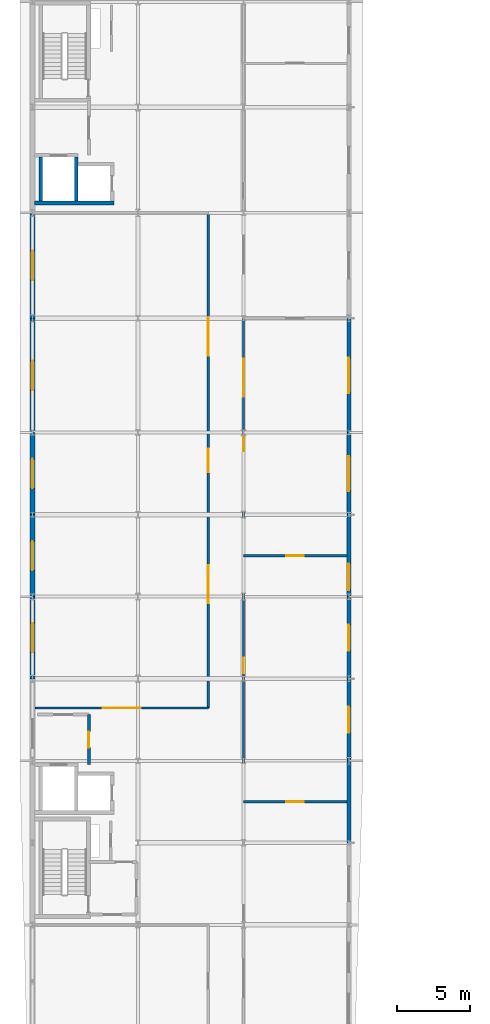
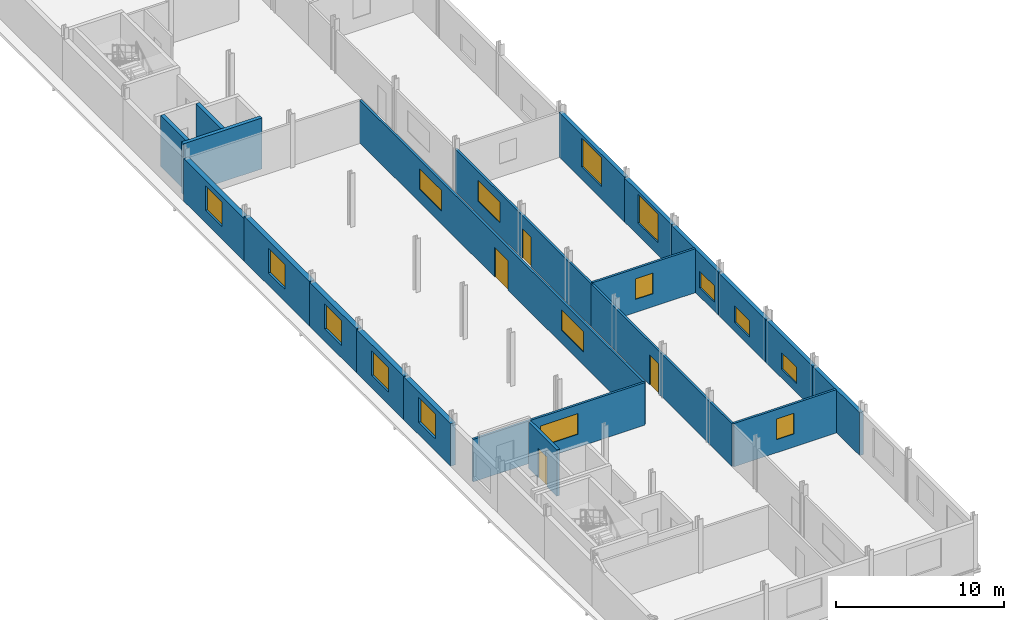
# One storey, part 20 of 30: 21 walls, 16 windows, 4 doors, 20 openings.
"""IFC4 building model written with IfcOpenShell, lengths in metres."""

from ifc_helpers import new_model, si_unit, direction, frame, frame_2d, origin, place, context, subcontext, project, spatial, rectangle, extrude, material, layer, layer_set, type_object, element, fill, save


model = new_model("IFC4")

# Units and contexts
model_context = context("Model", 3, precision=1e-05, world=origin(), true_north=direction((0.0, 1.0)))
body_context = subcontext(model_context, "Body", "Model", "MODEL_VIEW")
ifc_project = project(units=[si_unit("LENGTHUNIT", "METRE"), si_unit("AREAUNIT", "SQUARE_METRE"), si_unit("VOLUMEUNIT", "CUBIC_METRE"), si_unit("PLANEANGLEUNIT", "RADIAN"), si_unit("MASSUNIT", "GRAM", prefix="KILO")], contexts=[model_context])

# Site, building, storey
site_placement = place(None, origin())
site = spatial("IfcSite", under=ifc_project, at=site_placement, CompositionType="ELEMENT")
building_placement = place(site_placement, origin())
building = spatial("IfcBuilding", under=site, at=building_placement, Name="Vinh Khe Railworks Police Headquarters", CompositionType="ELEMENT")
storey_placement = place(building_placement, frame((0.0, 0.0, 21.0)))
storey = spatial("IfcBuildingStorey", under=building, at=storey_placement, Name="L05", CompositionType="ELEMENT", Elevation=21.0)

# Walls
ifc_material_1 = material(Name="Concrete C40/50 (B40)", Category="concrete")
ifc_layer_1 = layer(ifc_material_1, 0.25)
ifc_layer_set_1 = layer_set([ifc_layer_1], Name="Concrete C40/50 (B40)")
wall_type_1 = type_object("IfcWallType", Name="Core Shear Wall 250", PredefinedType="SHEAR", material=ifc_layer_set_1)
wall_1_placement = place(storey_placement, frame((0.75, 74.47509765625, 0.0), z_axis=(0.0, 0.0, 1.0), x_axis=(1.0, 0.0, 0.0)))
element("IfcWall", 1, at=wall_1_placement, inside=storey, type_object=wall_type_1, Name="Core C2 FL-S Lift Shaft Wall (L05)", PredefinedType="SHEAR", context=body_context, shape_type="SweptSolid", body=[
    extrude(rectangle(XDim=5.39990234375, YDim=0.25, at=frame_2d((2.699951171875, 0.0))), origin(), (0.0, 0.0, 1.0), 3.699951171875),
])
for number, where, z_axis, x_axis, name in (
    (2, (1.175048828125, 74.60009765625, 0.0), (0.0, 0.0, 1.0), (0.0, 1.0, 0.0), "Core C2 FL-W Lift Shaft Wall (L05)"),
    (3, (3.60009765625, 74.60009765625, 0.0), (0.0, 0.0, 1.0), (0.0, 1.0, 0.0), "Core C2 LIFT-DIV Lift Shaft Wall (L05)"),
):
    element("IfcWall", number, at=place(storey_placement, frame(where, z_axis=z_axis, x_axis=x_axis)), inside=storey, type_object=wall_type_1, Name=name, PredefinedType="SHEAR", context=body_context, shape_type="SweptSolid", body=[
        extrude(rectangle(XDim=3.0, YDim=0.25, at=frame_2d((1.5, 0.0))), origin(), (0.0, 0.0, 1.0), 3.699951171875),
    ])
ifc_material_2 = material(Name="Clay brickwork", Category="masonry")
ifc_layer_2 = layer(ifc_material_2, 0.260009765625)
ifc_layer_set_2 = layer_set([ifc_layer_2], Name="Clay brickwork")
wall_type_2 = type_object("IfcWallType", Name="EW-BRK-260", PredefinedType="SOLIDWALL", material=ifc_layer_set_2)
wall_2_placement = place(storey_placement, frame((22.199951171875, 30.800048828125, 0.0), z_axis=(0.0, 0.0, 1.0), x_axis=(0.0, 1.0, 0.0)))
element("IfcWall", 4, at=wall_2_placement, inside=storey, type_object=wall_type_2, Name="Exterior Brick Wall EW-L05-V5E-03", PredefinedType="SOLIDWALL", context=body_context, shape_type="SweptSolid", body=[
    extrude(rectangle(XDim=5.599853515625, YDim=0.260009765625, at=frame_2d((2.7998046875, 0.0))), origin(), (0.0, 0.0, 1.0), 3.094970703125),
])

# Wall, opening, window
wall_3_placement = place(storey_placement, frame((22.199951171875, 36.39990234375, 0.0), z_axis=(0.0, 0.0, 1.0), x_axis=(0.0, 1.0, 0.0)))
wall_3 = element("IfcWall", 5, at=wall_3_placement, inside=storey, type_object=wall_type_2, Name="Exterior Brick Wall EW-L05-V5E-04", PredefinedType="SOLIDWALL", context=body_context, shape_type="SweptSolid", body=[
    extrude(rectangle(XDim=5.60009765625, YDim=0.260009765625, at=frame_2d((2.800048828125, 0.0))), origin(), (0.0, 0.0, 1.0), 3.094970703125),
])
opening_1_placement = place(wall_3_placement, frame((1.89990234375, 0.0, 0.64990234375)))
opening_1 = element("IfcOpeningElement", 6, at=opening_1_placement, cuts=wall_3, Name="Opening WN-08", PredefinedType="OPENING", context=body_context, shape_type="SweptSolid", body=[
    extrude(rectangle(XDim=1.800048828125, YDim=1.199951171875, at=frame_2d((0.89990234375, 0.60009765625))), frame((0.0, 0.14501953125, 0.0), z_axis=(0.0, -1.0, 0.0), x_axis=(1.0, 0.0, 0.0)), (0.0, 0.0, 1.0), 0.289794921875),
])
ifc_material_3 = material(Name="Double-glazed solar-control glass in dark steel frame", Category="steel")
window_type_1 = type_object("IfcWindowType", Name="WIN-WN-08", PartitioningType="SINGLE_PANEL", PredefinedType="WINDOW", material=ifc_material_3)
window_1_placement = place(opening_1_placement, origin())
window_1 = element("IfcWindow", 7, at=window_1_placement, inside=storey, type_object=window_type_1, Name="Casement Window WN-08", OverallHeight=1.199951171875, OverallWidth=1.800048828125, PartitioningType="SINGLE_PANEL", PredefinedType="WINDOW", context=body_context, shape_type="SweptSolid", body=[
    extrude(rectangle(XDim=1.800048828125, YDim=1.199951171875, at=frame_2d((0.89990234375, 0.60009765625))), frame((0.0, 0.030029296875, 0.0), z_axis=(0.0, -1.0, 0.0), x_axis=(1.0, 0.0, 0.0)), (0.0, 0.0, 1.0), 0.06005859375),
])
fill(opening_1, window_1)

wall_4_placement = place(storey_placement, frame((22.199951171875, 42.0, 0.0), z_axis=(0.0, 0.0, 1.0), x_axis=(0.0, 1.0, 0.0)))
wall_4 = element("IfcWall", 8, at=wall_4_placement, inside=storey, type_object=wall_type_2, Name="Exterior Brick Wall EW-L05-V5E-05", PredefinedType="SOLIDWALL", context=body_context, shape_type="SweptSolid", body=[
    extrude(rectangle(XDim=5.60009765625, YDim=0.260009765625, at=frame_2d((2.800048828125, 0.0))), origin(), (0.0, 0.0, 1.0), 3.094970703125),
])
opening_2_placement = place(wall_4_placement, frame((1.89990234375, 0.0, 0.64990234375)))
opening_2 = element("IfcOpeningElement", 9, at=opening_2_placement, cuts=wall_4, Name="Opening WN-08", PredefinedType="OPENING", context=body_context, shape_type="SweptSolid", body=[
    extrude(rectangle(XDim=1.800048828125, YDim=1.199951171875, at=frame_2d((0.89990234375, 0.60009765625))), frame((0.0, 0.14501953125, 0.0), z_axis=(0.0, -1.0, 0.0), x_axis=(1.0, 0.0, 0.0)), (0.0, 0.0, 1.0), 0.289794921875),
])
window_2_placement = place(opening_2_placement, origin())
window_2 = element("IfcWindow", 10, at=window_2_placement, inside=storey, type_object=window_type_1, Name="Casement Window WN-08", OverallHeight=1.199951171875, OverallWidth=1.800048828125, PartitioningType="SINGLE_PANEL", PredefinedType="WINDOW", context=body_context, shape_type="SweptSolid", body=[
    extrude(rectangle(XDim=1.800048828125, YDim=1.199951171875, at=frame_2d((0.89990234375, 0.60009765625))), frame((0.0, 0.030029296875, 0.0), z_axis=(0.0, -1.0, 0.0), x_axis=(1.0, 0.0, 0.0)), (0.0, 0.0, 1.0), 0.06005859375),
])
fill(opening_2, window_2)

wall_5_placement = place(storey_placement, frame((22.199951171875, 47.60009765625, 0.0), z_axis=(0.0, 0.0, 1.0), x_axis=(0.0, 1.0, 0.0)))
wall_5 = element("IfcWall", 11, at=wall_5_placement, inside=storey, type_object=wall_type_2, Name="Exterior Brick Wall EW-L05-V5E-06", PredefinedType="SOLIDWALL", context=body_context, shape_type="SweptSolid", body=[
    extrude(rectangle(XDim=5.599853515625, YDim=0.260009765625, at=frame_2d((2.7998046875, 0.0))), origin(), (0.0, 0.0, 1.0), 3.14501953125),
])
opening_3_placement = place(wall_5_placement, frame((0.449951171875, 0.0, 0.64990234375)))
opening_3 = element("IfcOpeningElement", 12, at=opening_3_placement, cuts=wall_5, Name="Opening WN-08", PredefinedType="OPENING", context=body_context, shape_type="SweptSolid", body=[
    extrude(rectangle(XDim=1.800048828125, YDim=1.199951171875, at=frame_2d((0.89990234375, 0.60009765625))), frame((0.0, 0.14501953125, 0.0), z_axis=(0.0, -1.0, 0.0), x_axis=(1.0, 0.0, 0.0)), (0.0, 0.0, 1.0), 0.289794921875),
])
window_3_placement = place(opening_3_placement, origin())
window_3 = element("IfcWindow", 13, at=window_3_placement, inside=storey, type_object=window_type_1, Name="Casement Window WN-08", OverallHeight=1.199951171875, OverallWidth=1.800048828125, PartitioningType="SINGLE_PANEL", PredefinedType="WINDOW", context=body_context, shape_type="SweptSolid", body=[
    extrude(rectangle(XDim=1.800048828125, YDim=1.199951171875, at=frame_2d((0.89990234375, 0.60009765625))), frame((0.0, 0.030029296875, 0.0), z_axis=(0.0, -1.0, 0.0), x_axis=(1.0, 0.0, 0.0)), (0.0, 0.0, 1.0), 0.06005859375),
])
fill(opening_3, window_3)

wall_6_placement = place(storey_placement, frame((22.199951171875, 53.199951171875, 0.0), z_axis=(0.0, 0.0, 1.0), x_axis=(0.0, 1.0, 0.0)))
wall_6 = element("IfcWall", 14, at=wall_6_placement, inside=storey, type_object=wall_type_2, Name="Exterior Brick Wall EW-L05-V5E-07", PredefinedType="SOLIDWALL", context=body_context, shape_type="SweptSolid", body=[
    extrude(rectangle(XDim=5.60009765625, YDim=0.260009765625, at=frame_2d((2.800048828125, 0.0))), origin(), (0.0, 0.0, 1.0), 3.195068359375),
])
opening_4_placement = place(wall_6_placement, frame((1.60009765625, 0.0, 0.89990234375)))
opening_4 = element("IfcOpeningElement", 15, at=opening_4_placement, cuts=wall_6, Name="Opening WN-02", PredefinedType="OPENING", context=body_context, shape_type="SweptSolid", body=[
    extrude(rectangle(XDim=2.39990234375, YDim=2.10009765625, at=frame_2d((1.199951171875, 1.050048828125))), frame((0.0, 0.14501953125, 0.0), z_axis=(0.0, -1.0, 0.0), x_axis=(1.0, 0.0, 0.0)), (0.0, 0.0, 1.0), 0.289794921875),
])
window_type_2 = type_object("IfcWindowType", Name="WIN-WN-02", PartitioningType="DOUBLE_PANEL_VERTICAL", PredefinedType="WINDOW", material=ifc_material_3)
window_4_placement = place(opening_4_placement, origin())
window_4 = element("IfcWindow", 16, at=window_4_placement, inside=storey, type_object=window_type_2, Name="Casement Window WN-02", OverallHeight=2.10009765625, OverallWidth=2.39990234375, PartitioningType="SINGLE_PANEL", PredefinedType="WINDOW", context=body_context, shape_type="SweptSolid", body=[
    extrude(rectangle(XDim=2.39990234375, YDim=2.10009765625, at=frame_2d((1.199951171875, 1.050048828125))), frame((0.0, 0.030029296875, 0.0), z_axis=(0.0, -1.0, 0.0), x_axis=(1.0, 0.0, 0.0)), (0.0, 0.0, 1.0), 0.06005859375),
])
fill(opening_4, window_4)

wall_7_placement = place(storey_placement, frame((22.199951171875, 58.800048828125, 0.0), z_axis=(0.0, 0.0, 1.0), x_axis=(0.0, 1.0, 0.0)))
wall_7 = element("IfcWall", 17, at=wall_7_placement, inside=storey, type_object=wall_type_2, Name="Exterior Brick Wall EW-L05-V5E-08", PredefinedType="SOLIDWALL", context=body_context, shape_type="SweptSolid", body=[
    extrude(rectangle(XDim=7.800048828125, YDim=0.260009765625, at=frame_2d((3.89990234375, 0.0))), origin(), (0.0, 0.0, 1.0), 3.2451171875),
])
opening_5_placement = place(wall_7_placement, frame((2.699951171875, 0.0, 0.89990234375)))
opening_5 = element("IfcOpeningElement", 18, at=opening_5_placement, cuts=wall_7, Name="Opening WN-02", PredefinedType="OPENING", context=body_context, shape_type="SweptSolid", body=[
    extrude(rectangle(XDim=2.39990234375, YDim=2.10009765625, at=frame_2d((1.199951171875, 1.050048828125))), frame((0.0, 0.14501953125, 0.0), z_axis=(0.0, -1.0, 0.0), x_axis=(1.0, 0.0, 0.0)), (0.0, 0.0, 1.0), 0.289794921875),
])
window_5_placement = place(opening_5_placement, origin())
window_5 = element("IfcWindow", 19, at=window_5_placement, inside=storey, type_object=window_type_2, Name="Casement Window WN-02", OverallHeight=2.10009765625, OverallWidth=2.39990234375, PartitioningType="SINGLE_PANEL", PredefinedType="WINDOW", context=body_context, shape_type="SweptSolid", body=[
    extrude(rectangle(XDim=2.39990234375, YDim=2.10009765625, at=frame_2d((1.199951171875, 1.050048828125))), frame((0.0, 0.030029296875, 0.0), z_axis=(0.0, -1.0, 0.0), x_axis=(1.0, 0.0, 0.0)), (0.0, 0.0, 1.0), 0.06005859375),
])
fill(opening_5, window_5)

ifc_layer_3 = layer(ifc_material_2, 0.340087890625)
ifc_layer_set_3 = layer_set([ifc_layer_3], Name="Clay brickwork")
wall_type_3 = type_object("IfcWallType", Name="EW-BRK-340", PredefinedType="SOLIDWALL", material=ifc_layer_set_3)
wall_8_placement = place(storey_placement, frame((0.60009765625, 42.0, 0.0), z_axis=(0.0, 0.0, 1.0), x_axis=(0.0, 1.0, 0.0)))
wall_8 = element("IfcWall", 20, at=wall_8_placement, inside=storey, type_object=wall_type_3, Name="Exterior Brick Wall EW-L05-V5W-05", PredefinedType="SOLIDWALL", context=body_context, shape_type="SweptSolid", body=[
    extrude(rectangle(XDim=5.60009765625, YDim=0.340087890625, at=frame_2d((2.800048828125, 0.0))), origin(), (0.0, 0.0, 1.0), 3.094970703125),
])
opening_6_placement = place(wall_8_placement, frame((1.800048828125, 0.0, 0.89990234375)))
opening_6 = element("IfcOpeningElement", 21, at=opening_6_placement, cuts=wall_8, Name="Opening WN-04", PredefinedType="OPENING", context=body_context, shape_type="SweptSolid", body=[
    extrude(rectangle(XDim=2.0, YDim=1.800048828125, at=frame_2d((1.0, 0.89990234375))), frame((0.0, 0.18505859375, 0.0), z_axis=(0.0, -1.0, 0.0), x_axis=(1.0, 0.0, 0.0)), (0.0, 0.0, 1.0), 0.369873046875),
])
window_type_3 = type_object("IfcWindowType", Name="WIN-WN-04", PartitioningType="DOUBLE_PANEL_VERTICAL", PredefinedType="WINDOW", material=ifc_material_3)
window_6_placement = place(opening_6_placement, origin())
window_6 = element("IfcWindow", 22, at=window_6_placement, inside=storey, type_object=window_type_3, Name="Casement Window WN-04", OverallHeight=1.800048828125, OverallWidth=2.0, PartitioningType="SINGLE_PANEL", PredefinedType="WINDOW", context=body_context, shape_type="SweptSolid", body=[
    extrude(rectangle(XDim=2.0, YDim=1.800048828125, at=frame_2d((1.0, 0.89990234375))), frame((0.0, 0.030029296875, 0.0), z_axis=(0.0, -1.0, 0.0), x_axis=(1.0, 0.0, 0.0)), (0.0, 0.0, 1.0), 0.06005859375),
])
fill(opening_6, window_6)

wall_9_placement = place(storey_placement, frame((0.60009765625, 47.60009765625, 0.0), z_axis=(0.0, 0.0, 1.0), x_axis=(0.0, 1.0, 0.0)))
wall_9 = element("IfcWall", 23, at=wall_9_placement, inside=storey, type_object=wall_type_3, Name="Exterior Brick Wall EW-L05-V5W-06", PredefinedType="SOLIDWALL", context=body_context, shape_type="SweptSolid", body=[
    extrude(rectangle(XDim=5.599853515625, YDim=0.340087890625, at=frame_2d((2.7998046875, 0.0))), origin(), (0.0, 0.0, 1.0), 3.14501953125),
])
opening_7_placement = place(wall_9_placement, frame((1.800048828125, 0.0, 0.89990234375)))
opening_7 = element("IfcOpeningElement", 24, at=opening_7_placement, cuts=wall_9, Name="Opening WN-04", PredefinedType="OPENING", context=body_context, shape_type="SweptSolid", body=[
    extrude(rectangle(XDim=2.0, YDim=1.800048828125, at=frame_2d((1.0, 0.89990234375))), frame((0.0, 0.18505859375, 0.0), z_axis=(0.0, -1.0, 0.0), x_axis=(1.0, 0.0, 0.0)), (0.0, 0.0, 1.0), 0.369873046875),
])
window_7_placement = place(opening_7_placement, origin())
window_7 = element("IfcWindow", 25, at=window_7_placement, inside=storey, type_object=window_type_3, Name="Casement Window WN-04", OverallHeight=1.800048828125, OverallWidth=2.0, PartitioningType="SINGLE_PANEL", PredefinedType="WINDOW", context=body_context, shape_type="SweptSolid", body=[
    extrude(rectangle(XDim=2.0, YDim=1.800048828125, at=frame_2d((1.0, 0.89990234375))), frame((0.0, 0.030029296875, 0.0), z_axis=(0.0, -1.0, 0.0), x_axis=(1.0, 0.0, 0.0)), (0.0, 0.0, 1.0), 0.06005859375),
])
fill(opening_7, window_7)

wall_10_placement = place(storey_placement, frame((0.60009765625, 53.199951171875, 0.0), z_axis=(0.0, 0.0, 1.0), x_axis=(0.0, 1.0, 0.0)))
wall_10 = element("IfcWall", 26, at=wall_10_placement, inside=storey, type_object=wall_type_3, Name="Exterior Brick Wall EW-L05-V5W-07", PredefinedType="SOLIDWALL", context=body_context, shape_type="SweptSolid", body=[
    extrude(rectangle(XDim=5.60009765625, YDim=0.340087890625, at=frame_2d((2.800048828125, 0.0))), origin(), (0.0, 0.0, 1.0), 3.195068359375),
])
opening_8_placement = place(wall_10_placement, frame((1.800048828125, 0.0, 0.89990234375)))
opening_8 = element("IfcOpeningElement", 27, at=opening_8_placement, cuts=wall_10, Name="Opening WN-04", PredefinedType="OPENING", context=body_context, shape_type="SweptSolid", body=[
    extrude(rectangle(XDim=2.0, YDim=1.800048828125, at=frame_2d((1.0, 0.89990234375))), frame((0.0, 0.18505859375, 0.0), z_axis=(0.0, -1.0, 0.0), x_axis=(1.0, 0.0, 0.0)), (0.0, 0.0, 1.0), 0.369873046875),
])
window_8_placement = place(opening_8_placement, origin())
window_8 = element("IfcWindow", 28, at=window_8_placement, inside=storey, type_object=window_type_3, Name="Casement Window WN-04", OverallHeight=1.800048828125, OverallWidth=2.0, PartitioningType="SINGLE_PANEL", PredefinedType="WINDOW", context=body_context, shape_type="SweptSolid", body=[
    extrude(rectangle(XDim=2.0, YDim=1.800048828125, at=frame_2d((1.0, 0.89990234375))), frame((0.0, 0.030029296875, 0.0), z_axis=(0.0, -1.0, 0.0), x_axis=(1.0, 0.0, 0.0)), (0.0, 0.0, 1.0), 0.06005859375),
])
fill(opening_8, window_8)

wall_11_placement = place(storey_placement, frame((0.60009765625, 58.800048828125, 0.0), z_axis=(0.0, 0.0, 1.0), x_axis=(0.0, 1.0, 0.0)))
wall_11 = element("IfcWall", 29, at=wall_11_placement, inside=storey, type_object=wall_type_3, Name="Exterior Brick Wall EW-L05-V5W-08", PredefinedType="SOLIDWALL", context=body_context, shape_type="SweptSolid", body=[
    extrude(rectangle(XDim=7.800048828125, YDim=0.340087890625, at=frame_2d((3.89990234375, 0.0))), origin(), (0.0, 0.0, 1.0), 3.2451171875),
])
opening_9_placement = place(wall_11_placement, frame((2.89990234375, 0.0, 0.89990234375)))
opening_9 = element("IfcOpeningElement", 30, at=opening_9_placement, cuts=wall_11, Name="Opening WN-04", PredefinedType="OPENING", context=body_context, shape_type="SweptSolid", body=[
    extrude(rectangle(XDim=2.0, YDim=1.800048828125, at=frame_2d((1.0, 0.89990234375))), frame((0.0, 0.18505859375, 0.0), z_axis=(0.0, -1.0, 0.0), x_axis=(1.0, 0.0, 0.0)), (0.0, 0.0, 1.0), 0.369873046875),
])
window_9_placement = place(opening_9_placement, origin())
window_9 = element("IfcWindow", 31, at=window_9_placement, inside=storey, type_object=window_type_3, Name="Casement Window WN-04", OverallHeight=1.800048828125, OverallWidth=2.0, PartitioningType="SINGLE_PANEL", PredefinedType="WINDOW", context=body_context, shape_type="SweptSolid", body=[
    extrude(rectangle(XDim=2.0, YDim=1.800048828125, at=frame_2d((1.0, 0.89990234375))), frame((0.0, 0.030029296875, 0.0), z_axis=(0.0, -1.0, 0.0), x_axis=(1.0, 0.0, 0.0)), (0.0, 0.0, 1.0), 0.06005859375),
])
fill(opening_9, window_9)

wall_12_placement = place(storey_placement, frame((0.60009765625, 66.60009765625, 0.0), z_axis=(0.0, 0.0, 1.0), x_axis=(0.0, 1.0, 0.0)))
wall_12 = element("IfcWall", 32, at=wall_12_placement, inside=storey, type_object=wall_type_3, Name="Exterior Brick Wall EW-L05-V5W-09", PredefinedType="SOLIDWALL", context=body_context, shape_type="SweptSolid", body=[
    extrude(rectangle(XDim=7.199951171875, YDim=0.340087890625, at=frame_2d((3.60009765625, 0.0))), origin(), (0.0, 0.0, 1.0), 3.094970703125),
])
opening_10_placement = place(wall_12_placement, frame((2.60009765625, 0.0, 0.89990234375)))
opening_10 = element("IfcOpeningElement", 33, at=opening_10_placement, cuts=wall_12, Name="Opening WN-04", PredefinedType="OPENING", context=body_context, shape_type="SweptSolid", body=[
    extrude(rectangle(XDim=2.0, YDim=1.800048828125, at=frame_2d((1.0, 0.89990234375))), frame((0.0, 0.18505859375, 0.0), z_axis=(0.0, -1.0, 0.0), x_axis=(1.0, 0.0, 0.0)), (0.0, 0.0, 1.0), 0.369873046875),
])
window_10_placement = place(opening_10_placement, origin())
window_10 = element("IfcWindow", 34, at=window_10_placement, inside=storey, type_object=window_type_3, Name="Casement Window WN-04", OverallHeight=1.800048828125, OverallWidth=2.0, PartitioningType="SINGLE_PANEL", PredefinedType="WINDOW", context=body_context, shape_type="SweptSolid", body=[
    extrude(rectangle(XDim=2.0, YDim=1.800048828125, at=frame_2d((1.0, 0.89990234375))), frame((0.0, 0.030029296875, 0.0), z_axis=(0.0, -1.0, 0.0), x_axis=(1.0, 0.0, 0.0)), (0.0, 0.0, 1.0), 0.06005859375),
])
fill(opening_10, window_10)

# Wall, opening, door
ifc_material_4 = material(Name="Autoclaved aerated concrete blockwork", Category="masonry")
ifc_layer_4 = layer(ifc_material_4, 0.199951171875)
ifc_layer_set_4 = layer_set([ifc_layer_4], Name="Autoclaved aerated concrete blockwork")
wall_type_4 = type_object("IfcWallType", Name="IW-BLK-200", PredefinedType="PARTITIONING", material=ifc_layer_set_4)
wall_13_placement = place(storey_placement, frame((4.449951171875, 36.14990234375, 0.0), z_axis=(0.0, 0.0, 1.0), x_axis=(0.0, 1.0, 0.0)))
wall_13 = element("IfcWall", 35, at=wall_13_placement, inside=storey, type_object=wall_type_4, Name="Interior Partition W-FFL-C1-E-L05", PredefinedType="PARTITIONING", context=body_context, shape_type="SweptSolid", body=[
    extrude(rectangle(XDim=3.400146484375, YDim=0.199951171875, at=frame_2d((1.7001953125, 0.0))), origin(), (0.0, 0.0, 1.0), 3.364990234375),
])
opening_11_placement = place(wall_13_placement, frame((1.14990234375, 0.0, 0.0)))
opening_11 = element("IfcOpeningElement", 36, at=opening_11_placement, cuts=wall_13, Name="Opening FD-01", PredefinedType="OPENING", context=body_context, shape_type="SweptSolid", body=[
    extrude(rectangle(XDim=1.10009765625, YDim=2.14990234375, at=frame_2d((0.550048828125, 1.074951171875))), frame((0.0, 0.11474609375, 0.0), z_axis=(0.0, -1.0, 0.0), x_axis=(1.0, 0.0, 0.0)), (0.0, 0.0, 1.0), 0.229736328125),
])
ifc_material_5 = material(Name="Painted galvanised steel", Category="steel")
door_type_1 = type_object("IfcDoorType", Name="FD-1100x2150", OperationType="NOTDEFINED", PredefinedType="DOOR", material=ifc_material_5)
door_1_placement = place(opening_11_placement, origin())
door_1 = element("IfcDoor", 37, at=door_1_placement, inside=storey, type_object=door_type_1, Name="Firefighting Lobby Exit Door", OperationType="SINGLE_SWING_RIGHT", OverallHeight=2.14990234375, OverallWidth=1.10009765625, PredefinedType="DOOR", context=body_context, shape_type="SweptSolid", body=[
    extrude(rectangle(XDim=1.10009765625, YDim=2.14990234375, at=frame_2d((0.550048828125, 1.074951171875))), frame((0.0, 0.02490234375, 0.0), z_axis=(0.0, -1.0, 0.0), x_axis=(1.0, 0.0, 0.0)), (0.0, 0.0, 1.0), 0.050048828125),
])
fill(opening_11, door_1)

# Wall, opening, window
ifc_material_6 = material(Name="Gypsum plasterboard on steel stud", Category="steel")
ifc_layer_5 = layer(ifc_material_6, 0.1201171875)
ifc_layer_set_5 = layer_set([ifc_layer_5], Name="Gypsum plasterboard on steel stud")
wall_type_5 = type_object("IfcWallType", Name="IW-PART-120", PredefinedType="PARTITIONING", material=ifc_layer_set_5)
wall_14_placement = place(storey_placement, frame((0.780029296875, 40.0, 0.0), z_axis=(0.0, 0.0, 1.0), x_axis=(1.0, 0.0, 0.0)))
wall_14 = element("IfcWall", 38, at=wall_14_placement, inside=storey, type_object=wall_type_5, Name="Interior Partition W-L05-V5-CYBHALL-DIV", PredefinedType="PARTITIONING", context=body_context, shape_type="SweptSolid", body=[
    extrude(rectangle(XDim=11.820068359375, YDim=0.14990234375, at=frame_2d((5.91015625, 0.0))), origin(), (0.0, 0.0, 1.0), 3.094970703125),
])
opening_12_placement = place(wall_14_placement, frame((4.610107421875, 0.0, 0.949951171875)))
opening_12 = element("IfcOpeningElement", 39, at=opening_12_placement, cuts=wall_14, Name="Opening WN-07", PredefinedType="OPENING", context=body_context, shape_type="SweptSolid", body=[
    extrude(rectangle(XDim=2.60009765625, YDim=1.5, at=frame_2d((1.300048828125, 0.75))), frame((0.0, 0.08984375, 0.0), z_axis=(0.0, -1.0, 0.0), x_axis=(1.0, 0.0, 0.0)), (0.0, 0.0, 1.0), 0.1796875),
])
window_type_4 = type_object("IfcWindowType", Name="WIN-WN-07", PartitioningType="DOUBLE_PANEL_HORIZONTAL", PredefinedType="WINDOW", material=ifc_material_3)
window_11_placement = place(opening_12_placement, origin())
window_11 = element("IfcWindow", 40, at=window_11_placement, inside=storey, type_object=window_type_4, Name="Interior Acoustic Vision Window WN-07", OverallHeight=1.5, OverallWidth=2.60009765625, PartitioningType="SINGLE_PANEL", PredefinedType="WINDOW", context=body_context, shape_type="SweptSolid", body=[
    extrude(rectangle(XDim=2.60009765625, YDim=1.5, at=frame_2d((1.300048828125, 0.75))), frame((0.0, 0.030029296875, 0.0), z_axis=(0.0, -1.0, 0.0), x_axis=(1.0, 0.0, 0.0)), (0.0, 0.0, 1.0), 0.06005859375),
])
fill(opening_12, window_11)

wall_15_placement = place(storey_placement, frame((15.0, 33.60009765625, 0.0), z_axis=(0.0, 0.0, 1.0), x_axis=(1.0, 0.0, 0.0)))
wall_15 = element("IfcWall", 41, at=wall_15_placement, inside=storey, type_object=wall_type_5, Name="Interior Partition W-L05-V5-THRT2-DIV", PredefinedType="PARTITIONING", context=body_context, shape_type="SweptSolid", body=[
    extrude(rectangle(XDim=7.06005859375, YDim=0.14990234375, at=frame_2d((3.530029296875, 0.0))), origin(), (0.0, 0.0, 1.0), 3.14501953125),
])
opening_13_placement = place(wall_15_placement, frame((2.929931640625, 0.0, 0.949951171875)))
opening_13 = element("IfcOpeningElement", 42, at=opening_13_placement, cuts=wall_15, Name="Opening WN-10", PredefinedType="OPENING", context=body_context, shape_type="SweptSolid", body=[
    extrude(rectangle(XDim=1.199951171875, YDim=1.5, at=frame_2d((0.60009765625, 0.75))), frame((0.0, 0.08984375, 0.0), z_axis=(0.0, -1.0, 0.0), x_axis=(1.0, 0.0, 0.0)), (0.0, 0.0, 1.0), 0.1796875),
])
window_type_5 = type_object("IfcWindowType", Name="WIN-WN-10", PartitioningType="SINGLE_PANEL", PredefinedType="WINDOW", material=ifc_material_3)
window_12_placement = place(opening_13_placement, origin())
window_12 = element("IfcWindow", 43, at=window_12_placement, inside=storey, type_object=window_type_5, Name="Interior Acoustic Vision Window WN-10", OverallHeight=1.5, OverallWidth=1.199951171875, PartitioningType="SINGLE_PANEL", PredefinedType="WINDOW", context=body_context, shape_type="SweptSolid", body=[
    extrude(rectangle(XDim=1.199951171875, YDim=1.5, at=frame_2d((0.60009765625, 0.75))), frame((0.0, 0.030029296875, 0.0), z_axis=(0.0, -1.0, 0.0), x_axis=(1.0, 0.0, 0.0)), (0.0, 0.0, 1.0), 0.06005859375),
])
fill(opening_13, window_12)

wall_16_placement = place(storey_placement, frame((15.0, 50.39990234375, 0.0), z_axis=(0.0, 0.0, 1.0), x_axis=(1.0, 0.0, 0.0)))
wall_16 = element("IfcWall", 44, at=wall_16_placement, inside=storey, type_object=wall_type_5, Name="Interior Partition W-L05-V5-THRT3-DIV", PredefinedType="PARTITIONING", context=body_context, shape_type="SweptSolid", body=[
    extrude(rectangle(XDim=7.06005859375, YDim=0.14990234375, at=frame_2d((3.530029296875, 0.0))), origin(), (0.0, 0.0, 1.0), 3.195068359375),
])
opening_14_placement = place(wall_16_placement, frame((2.929931640625, 0.0, 0.949951171875)))
opening_14 = element("IfcOpeningElement", 45, at=opening_14_placement, cuts=wall_16, Name="Opening WN-10", PredefinedType="OPENING", context=body_context, shape_type="SweptSolid", body=[
    extrude(rectangle(XDim=1.199951171875, YDim=1.5, at=frame_2d((0.60009765625, 0.75))), frame((0.0, 0.08984375, 0.0), z_axis=(0.0, -1.0, 0.0), x_axis=(1.0, 0.0, 0.0)), (0.0, 0.0, 1.0), 0.1796875),
])
window_13_placement = place(opening_14_placement, origin())
window_13 = element("IfcWindow", 46, at=window_13_placement, inside=storey, type_object=window_type_5, Name="Interior Acoustic Vision Window WN-10", OverallHeight=1.5, OverallWidth=1.199951171875, PartitioningType="SINGLE_PANEL", PredefinedType="WINDOW", context=body_context, shape_type="SweptSolid", body=[
    extrude(rectangle(XDim=1.199951171875, YDim=1.5, at=frame_2d((0.60009765625, 0.75))), frame((0.0, 0.030029296875, 0.0), z_axis=(0.0, -1.0, 0.0), x_axis=(1.0, 0.0, 0.0)), (0.0, 0.0, 1.0), 0.06005859375),
])
fill(opening_14, window_13)

# Wall, openings, door, windows
ifc_material_7 = material(Name="Gypsum plasterboard on acoustic steel stud", Category="steel")
ifc_layer_6 = layer(ifc_material_7, 0.14990234375)
ifc_layer_set_6 = layer_set([ifc_layer_6], Name="Gypsum plasterboard on acoustic steel stud")
wall_type_6 = type_object("IfcWallType", Name="IW-PART-150", PredefinedType="PARTITIONING", material=ifc_layer_set_6)
wall_17_placement = place(storey_placement, frame((12.60009765625, 40.0, 0.0), z_axis=(0.0, 0.0, 1.0), x_axis=(0.0, 1.0, 0.0)))
wall_17 = element("IfcWall", 47, at=wall_17_placement, inside=storey, type_object=wall_type_6, Name="Interior Partition W-L05-V5-CYBHALL-CW", PredefinedType="PARTITIONING", context=body_context, shape_type="SweptSolid", body=[
    extrude(rectangle(XDim=33.800048828125, YDim=0.14990234375, at=frame_2d((16.89990234375, 0.0))), origin(), (0.0, 0.0, 1.0), 3.094970703125),
])
opening_15_placement = place(wall_17_placement, frame((16.10009765625, 0.0, 0.0)))
opening_15 = element("IfcOpeningElement", 48, at=opening_15_placement, cuts=wall_17, Name="Opening D-03", PredefinedType="OPENING", context=body_context, shape_type="SweptSolid", body=[
    extrude(rectangle(XDim=1.60009765625, YDim=2.14990234375, at=frame_2d((0.800048828125, 1.074951171875))), frame((0.0, 0.08984375, 0.0), z_axis=(0.0, -1.0, 0.0), x_axis=(1.0, 0.0, 0.0)), (0.0, 0.0, 1.0), 0.1796875),
])
opening_16_placement = place(wall_17_placement, frame((7.14990234375, 0.0, 0.949951171875)))
opening_16 = element("IfcOpeningElement", 49, at=opening_16_placement, cuts=wall_17, Name="Opening WN-07", PredefinedType="OPENING", context=body_context, shape_type="SweptSolid", body=[
    extrude(rectangle(XDim=2.60009765625, YDim=1.5, at=frame_2d((1.300048828125, 0.75))), frame((0.0, 0.08984375, 0.0), z_axis=(0.0, -1.0, 0.0), x_axis=(1.0, 0.0, 0.0)), (0.0, 0.0, 1.0), 0.1796875),
])
opening_17_placement = place(wall_17_placement, frame((24.050048828125, 0.0, 0.949951171875)))
opening_17 = element("IfcOpeningElement", 50, at=opening_17_placement, cuts=wall_17, Name="Opening WN-07", PredefinedType="OPENING", context=body_context, shape_type="SweptSolid", body=[
    extrude(rectangle(XDim=2.60009765625, YDim=1.5, at=frame_2d((1.300048828125, 0.75))), frame((0.0, 0.08984375, 0.0), z_axis=(0.0, -1.0, 0.0), x_axis=(1.0, 0.0, 0.0)), (0.0, 0.0, 1.0), 0.1796875),
])
door_type_2 = type_object("IfcDoorType", Name="ID-1600x2150", OperationType="DOUBLE_DOOR_SINGLE_SWING", PredefinedType="DOOR", material=ifc_material_5)
door_2_placement = place(opening_15_placement, origin())
door_2 = element("IfcDoor", 51, at=door_2_placement, inside=storey, type_object=door_type_2, Name="Cybercrime Operations Hall Door", OperationType="DOUBLE_DOOR_SINGLE_SWING", OverallHeight=2.14990234375, OverallWidth=1.60009765625, PredefinedType="DOOR", context=body_context, shape_type="SweptSolid", body=[
    extrude(rectangle(XDim=1.60009765625, YDim=2.14990234375, at=frame_2d((0.800048828125, 1.074951171875))), frame((0.0, 0.02490234375, 0.0), z_axis=(0.0, -1.0, 0.0), x_axis=(1.0, 0.0, 0.0)), (0.0, 0.0, 1.0), 0.050048828125),
])
fill(opening_15, door_2)
window_14_placement = place(opening_16_placement, origin())
window_14 = element("IfcWindow", 52, at=window_14_placement, inside=storey, type_object=window_type_4, Name="Interior Acoustic Vision Window WN-07", OverallHeight=1.5, OverallWidth=2.60009765625, PartitioningType="SINGLE_PANEL", PredefinedType="WINDOW", context=body_context, shape_type="SweptSolid", body=[
    extrude(rectangle(XDim=2.60009765625, YDim=1.5, at=frame_2d((1.300048828125, 0.75))), frame((0.0, 0.030029296875, 0.0), z_axis=(0.0, -1.0, 0.0), x_axis=(1.0, 0.0, 0.0)), (0.0, 0.0, 1.0), 0.06005859375),
])
fill(opening_16, window_14)
window_15_placement = place(opening_17_placement, origin())
window_15 = element("IfcWindow", 53, at=window_15_placement, inside=storey, type_object=window_type_4, Name="Interior Acoustic Vision Window WN-07", OverallHeight=1.5, OverallWidth=2.60009765625, PartitioningType="SINGLE_PANEL", PredefinedType="WINDOW", context=body_context, shape_type="SweptSolid", body=[
    extrude(rectangle(XDim=2.60009765625, YDim=1.5, at=frame_2d((1.300048828125, 0.75))), frame((0.0, 0.030029296875, 0.0), z_axis=(0.0, -1.0, 0.0), x_axis=(1.0, 0.0, 0.0)), (0.0, 0.0, 1.0), 0.06005859375),
])
fill(opening_17, window_15)

# Wall, opening, door
wall_18_placement = place(storey_placement, frame((15.0, 33.60009765625, 0.0), z_axis=(0.0, 0.0, 1.0), x_axis=(0.0, 1.0, 0.0)))
wall_18 = element("IfcWall", 54, at=wall_18_placement, inside=storey, type_object=wall_type_6, Name="Interior Partition W-L05-V5-THRT2-CE", PredefinedType="PARTITIONING", context=body_context, shape_type="SweptSolid", body=[
    extrude(rectangle(XDim=16.7998046875, YDim=0.14990234375, at=frame_2d((8.39990234375, 0.0))), origin(), (0.0, 0.0, 1.0), 3.094970703125),
])
opening_18_placement = place(wall_18_placement, frame((8.77490234375, 0.0, 0.0)))
opening_18 = element("IfcOpeningElement", 55, at=opening_18_placement, cuts=wall_18, Name="Opening D-02", PredefinedType="OPENING", context=body_context, shape_type="SweptSolid", body=[
    extrude(rectangle(XDim=1.050048828125, YDim=2.14990234375, at=frame_2d((0.52490234375, 1.074951171875))), frame((0.0, 0.08984375, 0.0), z_axis=(0.0, -1.0, 0.0), x_axis=(1.0, 0.0, 0.0)), (0.0, 0.0, 1.0), 0.1796875),
])
ifc_material_8 = material(Name="Seasoned hardwood timber", Category="wood")
door_type_3 = type_object("IfcDoorType", Name="ID-1050x2150", OperationType="NOTDEFINED", PredefinedType="DOOR", material=ifc_material_8)
door_3_placement = place(opening_18_placement, origin())
door_3 = element("IfcDoor", 56, at=door_3_placement, inside=storey, type_object=door_type_3, Name="Open Source Intelligence Workroom Door", OperationType="SINGLE_SWING_RIGHT", OverallHeight=2.14990234375, OverallWidth=1.050048828125, PredefinedType="DOOR", context=body_context, shape_type="SweptSolid", body=[
    extrude(rectangle(XDim=1.050048828125, YDim=2.14990234375, at=frame_2d((0.52490234375, 1.074951171875))), frame((0.0, 0.02490234375, 0.0), z_axis=(0.0, -1.0, 0.0), x_axis=(1.0, 0.0, 0.0)), (0.0, 0.0, 1.0), 0.050048828125),
])
fill(opening_18, door_3)

# Wall, openings, door, window
wall_19_placement = place(storey_placement, frame((15.0, 50.39990234375, 0.0), z_axis=(0.0, 0.0, 1.0), x_axis=(0.0, 1.0, 0.0)))
wall_19 = element("IfcWall", 57, at=wall_19_placement, inside=storey, type_object=wall_type_6, Name="Interior Partition W-L05-V5-THRT3-CE", PredefinedType="PARTITIONING", context=body_context, shape_type="SweptSolid", body=[
    extrude(rectangle(XDim=16.2001953125, YDim=0.14990234375, at=frame_2d((8.10009765625, 0.0))), origin(), (0.0, 0.0, 1.0), 3.094970703125),
])
opening_19_placement = place(wall_19_placement, frame((7.125, 0.0, 0.0)))
opening_19 = element("IfcOpeningElement", 58, at=opening_19_placement, cuts=wall_19, Name="Opening D-02", PredefinedType="OPENING", context=body_context, shape_type="SweptSolid", body=[
    extrude(rectangle(XDim=1.050048828125, YDim=2.14990234375, at=frame_2d((0.52490234375, 1.074951171875))), frame((0.0, 0.08984375, 0.0), z_axis=(0.0, -1.0, 0.0), x_axis=(1.0, 0.0, 0.0)), (0.0, 0.0, 1.0), 0.1796875),
])
opening_20_placement = place(wall_19_placement, frame((10.85009765625, 0.0, 0.949951171875)))
opening_20 = element("IfcOpeningElement", 59, at=opening_20_placement, cuts=wall_19, Name="Opening WN-07", PredefinedType="OPENING", context=body_context, shape_type="SweptSolid", body=[
    extrude(rectangle(XDim=2.60009765625, YDim=1.5, at=frame_2d((1.300048828125, 0.75))), frame((0.0, 0.08984375, 0.0), z_axis=(0.0, -1.0, 0.0), x_axis=(1.0, 0.0, 0.0)), (0.0, 0.0, 1.0), 0.1796875),
])
door_4_placement = place(opening_19_placement, origin())
door_4 = element("IfcDoor", 60, at=door_4_placement, inside=storey, type_object=door_type_3, Name="Telecoms Fraud Investigation Room Door", OperationType="SINGLE_SWING_LEFT", OverallHeight=2.14990234375, OverallWidth=1.050048828125, PredefinedType="DOOR", context=body_context, shape_type="SweptSolid", body=[
    extrude(rectangle(XDim=1.050048828125, YDim=2.14990234375, at=frame_2d((0.52490234375, 1.074951171875))), frame((0.0, 0.02490234375, 0.0), z_axis=(0.0, -1.0, 0.0), x_axis=(1.0, 0.0, 0.0)), (0.0, 0.0, 1.0), 0.050048828125),
])
fill(opening_19, door_4)
window_16_placement = place(opening_20_placement, origin())
window_16 = element("IfcWindow", 61, at=window_16_placement, inside=storey, type_object=window_type_4, Name="Interior Acoustic Vision Window WN-07", OverallHeight=1.5, OverallWidth=2.60009765625, PartitioningType="SINGLE_PANEL", PredefinedType="WINDOW", context=body_context, shape_type="SweptSolid", body=[
    extrude(rectangle(XDim=2.60009765625, YDim=1.5, at=frame_2d((1.300048828125, 0.75))), frame((0.0, 0.030029296875, 0.0), z_axis=(0.0, -1.0, 0.0), x_axis=(1.0, 0.0, 0.0)), (0.0, 0.0, 1.0), 0.06005859375),
])
fill(opening_20, window_16)

save(model, "model.ifc")
